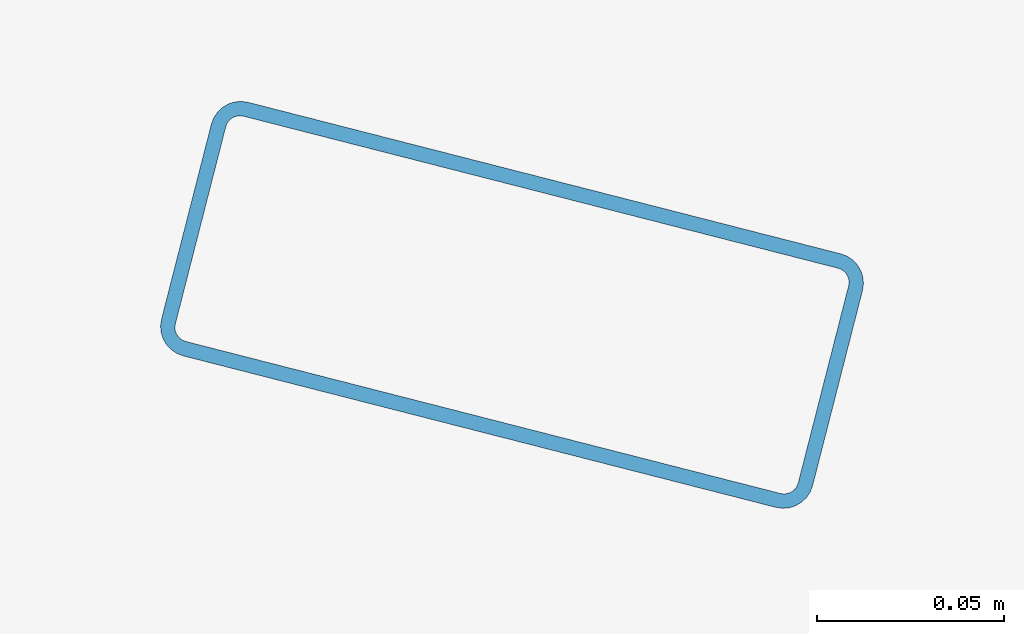
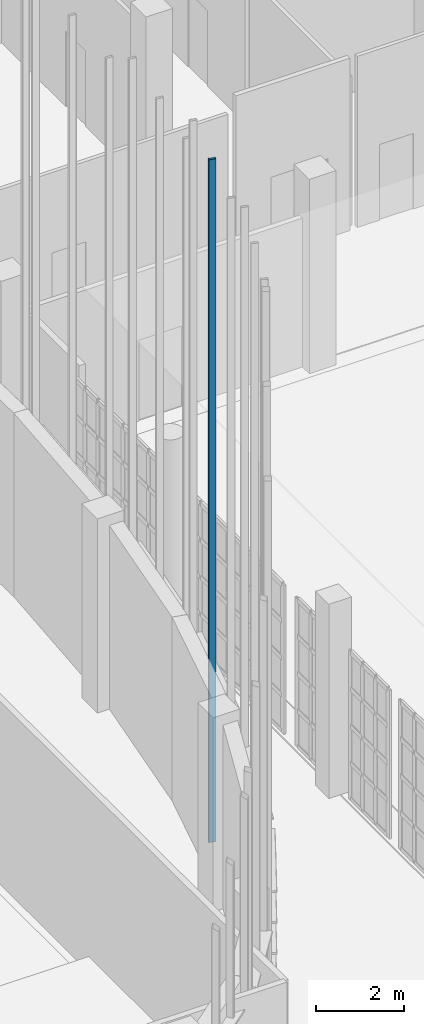
# One storey, part 214 of 372: 1 member.
"""IFC4 building model written with IfcOpenShell, lengths in metres."""

from ifc_helpers import new_model, si_unit, direction, frame, origin, origin_2d, place, context, subcontext, project, spatial, hollow_rectangle, extrude, material, material_profile, profile_set, type_object, element, save


model = new_model("IFC4")

# Units and contexts
model_context = context("Model", 3, precision=1e-05, world=origin(), true_north=direction((0.0, 1.0)))
body_context = subcontext(model_context, "Body", "Model", "MODEL_VIEW")
ifc_project = project(units=[si_unit("LENGTHUNIT", "METRE"), si_unit("AREAUNIT", "SQUARE_METRE"), si_unit("VOLUMEUNIT", "CUBIC_METRE"), si_unit("PLANEANGLEUNIT", "RADIAN"), si_unit("MASSUNIT", "GRAM", prefix="KILO")], contexts=[model_context])

# Site, building, storey
site_placement = place(None, origin())
site = spatial("IfcSite", under=ifc_project, at=site_placement, CompositionType="ELEMENT")
building_placement = place(site_placement, origin())
building = spatial("IfcBuilding", under=site, at=building_placement, Name="Kaelora Sail Theatre", CompositionType="ELEMENT")
storey_placement = place(building_placement, origin())
storey = spatial("IfcBuildingStorey", under=building, at=storey_placement, Name="L00", CompositionType="ELEMENT", Elevation=0.0)

# Member
ifc_material = material(Name="Anodised aluminium 6063-T6", Category="aluminium")
ifc_material_profile = material_profile(ifc_material, hollow_rectangle(XDim=0.070068359375, YDim=0.179931640625, WallThickness=0.00390625, InnerFilletRadius=0.00390625, OuterFilletRadius=0.008056640625, at=origin_2d()), Name="ALU-MULL 70x180x4")
ifc_profile_set = profile_set([ifc_material_profile], Name="Anodised aluminium 6063-T6")
member_type = type_object("IfcMemberType", Name="ARC-MEM-PST-160", PredefinedType="POST", material=ifc_profile_set)
member_placement = place(storey_placement, frame((103.3486328125, 45.6982421875, 0.0), z_axis=(0.0, 0.0, 1.0), x_axis=(-0.247675453076, -0.968843057437, 0.0)))
element("IfcMember", 1, at=member_placement, inside=storey, type_object=member_type, Name="Studio Theatre Sail Drum solar louvre vertical support post C4-2", PredefinedType="POST", context=body_context, shape_type="SweptSolid", body=[
    extrude(hollow_rectangle(XDim=0.070068359375, YDim=0.179931640625, WallThickness=0.00390625, InnerFilletRadius=0.00390625, OuterFilletRadius=0.008056640625, at=origin_2d()), origin(), (0.0, 0.0, 1.0), 18.98193359375),
])

save(model, "model.ifc")
